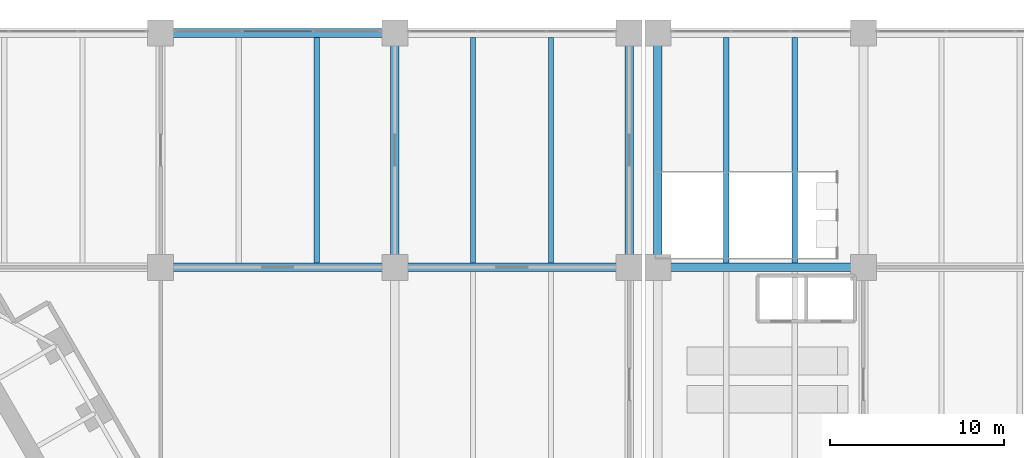
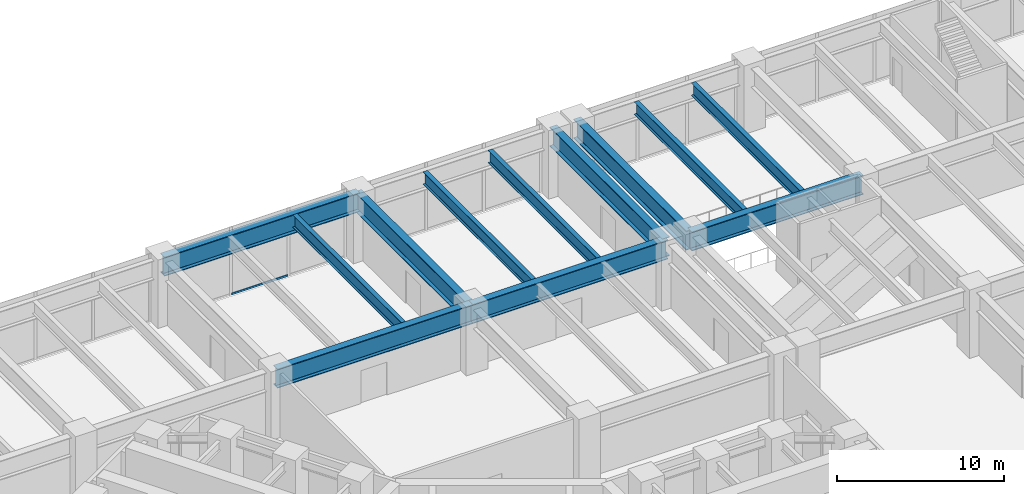
# One storey, part 14 of 32: 12 beams, 1 member, 1 element without a shape of its own.
"""IFC4 building model written with IfcOpenShell, lengths in metres."""

from ifc_helpers import new_model, si_unit, direction, frame, origin, origin_2d, place, context, subcontext, project, spatial, rectangle, i_section, extrude, material, material_profile, profile_set, type_object, element, aggregate, save


model = new_model("IFC4")

# Units and contexts
model_context = context("Model", 3, precision=1e-05, world=origin(), true_north=direction((0.0, 1.0)))
body_context = subcontext(model_context, "Body", "Model", "MODEL_VIEW")
ifc_project = project(units=[si_unit("LENGTHUNIT", "METRE"), si_unit("AREAUNIT", "SQUARE_METRE"), si_unit("VOLUMEUNIT", "CUBIC_METRE"), si_unit("PLANEANGLEUNIT", "RADIAN"), si_unit("MASSUNIT", "GRAM", prefix="KILO")], contexts=[model_context])

# Site, building, storey
site_placement = place(None, origin())
site = spatial("IfcSite", under=ifc_project, at=site_placement, CompositionType="ELEMENT")
building_placement = place(site_placement, origin())
building = spatial("IfcBuilding", under=site, at=building_placement, Name="Upepo Twin Towers", CompositionType="ELEMENT")
storey_placement = place(building_placement, frame((0.0, 0.0, 10.5)))
storey = spatial("IfcBuildingStorey", under=building, at=storey_placement, Name="L02", CompositionType="ELEMENT", Elevation=10.5)

# Beams
ifc_material_1 = material(Name="Steel S355", Category="steel")
ifc_material_profile_1 = material_profile(ifc_material_1, i_section(OverallWidth=0.5, OverallDepth=1.39990234375, WebThickness=0.02490234375, FlangeThickness=0.050048828125, FilletRadius=0.008056640625, at=origin_2d()), Name="PG 1400x500x25x50")
ifc_profile_set_1 = profile_set([ifc_material_profile_1], Name="Steel S355")
beam_type_1 = type_object("IfcBeamType", Name="Beam PG 1400x500x25x50", PredefinedType="BEAM", material=ifc_profile_set_1)
for number, where, z_axis, x_axis, name in (
    (1, (0.0, 27.0, 3.949951171875), (1.0, 0.0, 0.0), (0.0, 1.0, 0.0), "Podium girder F/3-4"),
    (2, (13.5, 27.0, 3.949951171875), (1.0, 0.0, 0.0), (0.0, 1.0, 0.0), "Podium girder F/4-5"),
):
    element("IfcBeam", number, at=place(storey_placement, frame(where, z_axis=z_axis, x_axis=x_axis)), inside=storey, type_object=beam_type_1, Name=name, PredefinedType="BEAM", context=body_context, shape_type="SweptSolid", body=[
        extrude(i_section(OverallWidth=0.5, OverallDepth=1.39990234375, WebThickness=0.02490234375, FlangeThickness=0.050048828125, FilletRadius=0.008056640625, at=origin_2d()), origin(), (0.0, 0.0, 1.0), 13.5),
    ])
beam_placement = place(storey_placement, frame((28.64990234375, 27.0, 3.949951171875), z_axis=(1.0, 0.0, 0.0), x_axis=(0.0, 1.0, 0.0)))
element("IfcBeam", 3, at=beam_placement, inside=storey, type_object=beam_type_1, Name="Podium girder F/5a-6", PredefinedType="BEAM", context=body_context, shape_type="SweptSolid", body=[
    extrude(i_section(OverallWidth=0.5, OverallDepth=1.39990234375, WebThickness=0.02490234375, FlangeThickness=0.050048828125, FilletRadius=0.008056640625, at=origin_2d()), origin(), (0.0, 0.0, 1.0), 11.85009765625),
])
for number, where, z_axis, x_axis, name in (
    (4, (0.0, 40.5, 3.949951171875), (1.0, 0.0, 0.0), (0.0, 1.0, 0.0), "Podium girder G/3-4"),
    (5, (13.5, 27.0, 3.949951171875), (0.0, 1.0, 0.0), (-1.0, 0.0, 0.0), "Podium girder 4/F-G"),
    (6, (27.0, 27.0, 3.949951171875), (0.0, 1.0, 0.0), (-1.0, 0.0, 0.0), "Podium girder 5/F-G"),
    (7, (28.64990234375, 27.0, 3.949951171875), (0.0, 1.0, 0.0), (-1.0, 0.0, 0.0), "Podium girder 5a/F-G"),
):
    element("IfcBeam", number, at=place(storey_placement, frame(where, z_axis=z_axis, x_axis=x_axis)), inside=storey, type_object=beam_type_1, Name=name, PredefinedType="BEAM", context=body_context, shape_type="SweptSolid", body=[
        extrude(i_section(OverallWidth=0.5, OverallDepth=1.39990234375, WebThickness=0.02490234375, FlangeThickness=0.050048828125, FilletRadius=0.008056640625, at=origin_2d()), origin(), (0.0, 0.0, 1.0), 13.5),
    ])
ifc_material_2 = material(Name="Steel S355", Category="steel")
ifc_material_profile_2 = material_profile(ifc_material_2, i_section(OverallWidth=0.305419921875, OverallDepth=0.91845703125, WebThickness=0.017333984375, FlangeThickness=0.02783203125, FilletRadius=0.01904296875, at=origin_2d()), Name="UB 914x305x253")
ifc_profile_set_2 = profile_set([ifc_material_profile_2], Name="Steel S355")
beam_type_2 = type_object("IfcBeamType", Name="Secondary beam UB 914x305x253", PredefinedType="JOIST", material=ifc_profile_set_2)
for number, where, z_axis, x_axis, name in (
    (8, (9.0, 27.25, 4.19091796875), (0.0, 1.0, 0.0), (-1.0, 0.0, 0.0), "Podium secondary beam F3.2"),
    (9, (18.0, 27.25, 4.19091796875), (0.0, 1.0, 0.0), (-1.0, 0.0, 0.0), "Podium secondary beam F4.1"),
    (10, (22.5, 27.25, 4.19091796875), (0.0, 1.0, 0.0), (-1.0, 0.0, 0.0), "Podium secondary beam F4.2"),
    (11, (32.60009765625, 27.25, 4.19091796875), (0.0, 1.0, 0.0), (-1.0, 0.0, 0.0), "Podium secondary beam F5a.1"),
    (12, (36.550048828125, 27.25, 4.19091796875), (0.0, 1.0, 0.0), (-1.0, 0.0, 0.0), "Podium secondary beam F5a.2"),
):
    element("IfcBeam", number, at=place(storey_placement, frame(where, z_axis=z_axis, x_axis=x_axis)), inside=storey, type_object=beam_type_2, Name=name, PredefinedType="JOIST", context=body_context, shape_type="SweptSolid", body=[
        extrude(i_section(OverallWidth=0.305419921875, OverallDepth=0.91845703125, WebThickness=0.017333984375, FlangeThickness=0.02783203125, FilletRadius=0.01904296875, at=origin_2d()), origin(), (0.0, 0.0, 1.0), 13.0),
    ])

# Curtain wall, member
ifc_material_3 = material(Name="Aluminium and clear glass", Category="aluminium")
curtain_wall_type = type_object("IfcCurtainWallType", Name="Podium curtain wall PW1", PredefinedType="NOTDEFINED", material=ifc_material_3)
curtain_wall_placement = place(storey_placement, origin())
curtain_wall = element("IfcCurtainWall", 13, at=curtain_wall_placement, inside=storey, type_object=curtain_wall_type, Name="Podium L02 curtain wall N7", PredefinedType="NOTDEFINED")
ifc_material_4 = material(Name="Aluminium transom", Category="aluminium")
ifc_material_profile_3 = material_profile(ifc_material_4, rectangle(XDim=0.06494140625, YDim=0.14990234375, at=origin_2d()), Name="TRANSOM 65x150 PODIUM")
ifc_profile_set_3 = profile_set([ifc_material_profile_3], Name="Aluminium transom")
member_type = type_object("IfcMemberType", Name="Transom 65x150 PW1", PredefinedType="USERDEFINED", material=ifc_profile_set_3)
member_placement = place(storey_placement, frame((8.705810546875, 40.60009765625, 0.074951171875), z_axis=(-1.0, 0.0, 0.0), x_axis=(0.0, -1.0, 0.0)))
member = element("IfcMember", 14, at=member_placement, type_object=member_type, Name="Podium L02 curtain wall N7 transom 2", ObjectType="TRANSOM", PredefinedType="USERDEFINED", context=body_context, shape_type="SweptSolid", body=[
    extrude(rectangle(XDim=0.06494140625, YDim=0.14990234375, at=origin_2d()), origin(), (0.0, 0.0, 1.0), 3.91162109375),
])
aggregate(curtain_wall, [member])

save(model, "model.ifc")
